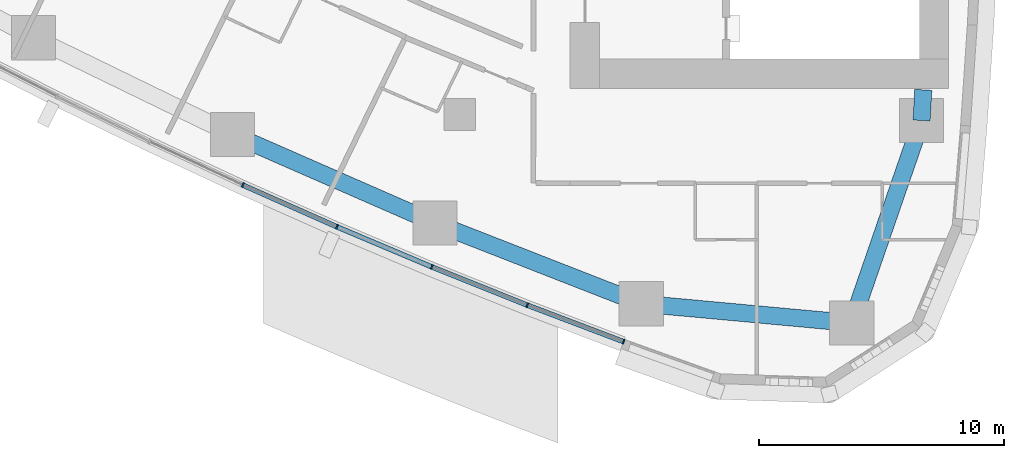
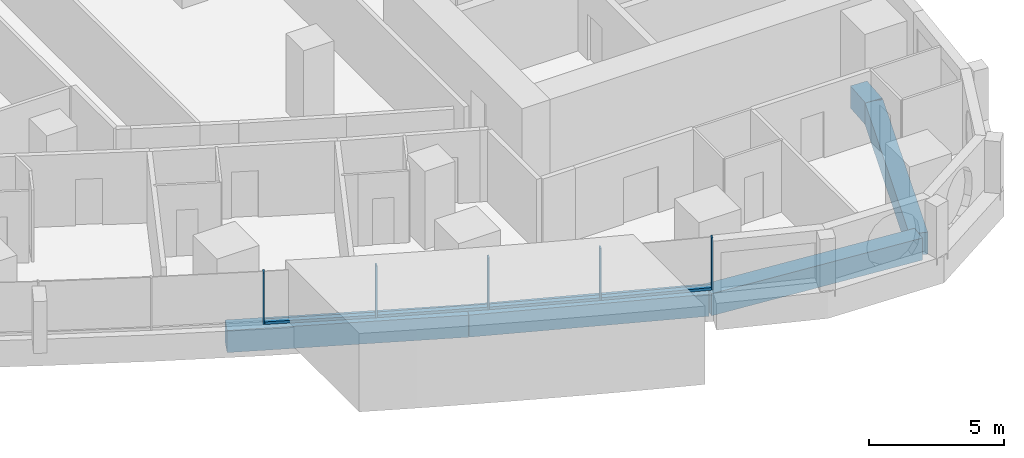
# One storey, part 3 of 19: 9 members, 5 beams, 3 elements without a shape of their own.
"""IFC4 building model written with IfcOpenShell, lengths in metres."""

from ifc_helpers import new_model, si_unit, direction, frame, origin, origin_2d, place, context, subcontext, project, spatial, rectangle, extrude, material, layer, layer_set, material_profile, profile_set, type_object, element, aggregate, save


model = new_model("IFC4")

# Units and contexts
model_context = context("Model", 3, precision=1e-05, world=origin(), true_north=direction((0.0, 1.0)))
body_context = subcontext(model_context, "Body", "Model", "MODEL_VIEW")
ifc_project = project(units=[si_unit("LENGTHUNIT", "METRE"), si_unit("AREAUNIT", "SQUARE_METRE"), si_unit("VOLUMEUNIT", "CUBIC_METRE"), si_unit("PLANEANGLEUNIT", "RADIAN"), si_unit("MASSUNIT", "GRAM", prefix="KILO")], contexts=[model_context])

# Site, building, storey
site_placement = place(None, origin())
site = spatial("IfcSite", under=ifc_project, at=site_placement, CompositionType="ELEMENT")
building_placement = place(site_placement, origin())
building = spatial("IfcBuilding", under=site, at=building_placement, Name="Ostrand Prow Hotel Tower", CompositionType="ELEMENT")
storey_placement = place(building_placement, frame((0.0, 0.0, 68.0)))
storey = spatial("IfcBuildingStorey", under=building, at=storey_placement, Name="L15", CompositionType="ELEMENT", Elevation=68.0)

# Beams
ifc_material_1 = material(Name="Concrete C80/95", Category="concrete")
ifc_material_profile_1 = material_profile(ifc_material_1, rectangle(XDim=0.699951171875, YDim=1.0, at=origin_2d()), Name="RC 700x1000")
ifc_profile_set_1 = profile_set([ifc_material_profile_1], Name="Concrete C80/95")
beam_type = type_object("IfcBeamType", Name="Edge beam 700x1000 C80/95", PredefinedType="SPANDREL", material=ifc_profile_set_1)
for number, where, z_axis, x_axis, name in (
    (1, (35.7412109375, -18.814208984375, -0.800048828125), (0.916095776162, -0.400959510297, 0.0), (0.400959510297, 0.916095776162, 0.0), "Edge beam S4-S5"),
    (2, (43.997802734375, -22.427978515625, -0.800048828125), (0.931329480916, -0.364177701098, 0.0), (0.364177701098, 0.931329480916, 0.0), "Edge beam S5-S6"),
):
    element("IfcBeam", number, at=place(storey_placement, frame(where, z_axis=z_axis, x_axis=x_axis)), inside=storey, type_object=beam_type, Name=name, PredefinedType="SPANDREL", context=body_context, shape_type="SweptSolid", body=[
        extrude(rectangle(XDim=0.699951171875, YDim=1.0, at=origin_2d()), origin(), (0.0, 0.0, 1.0), 9.0126953125),
    ])
beam_1_placement = place(storey_placement, frame((52.3916015625, -25.710205078125, -0.800048828125), z_axis=(0.995800189514, -0.091553167961, 0.0), x_axis=(0.091553167961, 0.995800189514, 0.0)))
element("IfcBeam", 3, at=beam_1_placement, inside=storey, type_object=beam_type, Name="Edge beam S6-SE", PredefinedType="SPANDREL", context=body_context, shape_type="SweptSolid", body=[
    extrude(rectangle(XDim=0.699951171875, YDim=1.0, at=origin_2d()), origin(), (0.0, 0.0, 1.0), 8.610595703125),
])
beam_2_placement = place(storey_placement, frame((60.966064453125, -26.49853515625, -0.800048828125), z_axis=(0.326263961413, 0.945278703602, 0.0), x_axis=(-0.945278703602, 0.326263961413, 0.0)))
element("IfcBeam", 4, at=beam_2_placement, inside=storey, type_object=beam_type, Name="Edge beam SE-B1", PredefinedType="SPANDREL", context=body_context, shape_type="SweptSolid", body=[
    extrude(rectangle(XDim=0.699951171875, YDim=1.0, at=origin_2d()), origin(), (0.0, 0.0, 1.0), 8.727294921875),
])
beam_3_placement = place(storey_placement, frame((63.8134765625, -18.248779296875, -0.800048828125), z_axis=(0.056215946509, 0.998418633319, 0.0), x_axis=(-0.998418633319, 0.056215946509, 0.0)))
element("IfcBeam", 5, at=beam_3_placement, inside=storey, type_object=beam_type, Name="Edge beam B1-B2", PredefinedType="SPANDREL", context=body_context, shape_type="SweptSolid", body=[
    extrude(rectangle(XDim=0.699951171875, YDim=1.0, at=origin_2d()), origin(), (0.0, 0.0, 1.0), 1.250732421875),
])

# Curtain wall, member
ifc_material_2 = material(Name="Insulated glass in bronze anodised frame", Category="glass")
ifc_layer = layer(ifc_material_2, 0.199951171875)
ifc_layer_set = layer_set([ifc_layer], Name="Insulated glass in bronze anodised frame")
curtain_wall_type = type_object("IfcCurtainWallType", Name="Strip curtain wall, fritted glass over bronze spandrel", PredefinedType="NOTDEFINED", material=ifc_layer_set)
curtain_wall_1_placement = place(storey_placement, origin())
curtain_wall_1 = element("IfcCurtainWall", 6, at=curtain_wall_1_placement, inside=storey, type_object=curtain_wall_type, Name="CW1 run CWS3", PredefinedType="NOTDEFINED")
ifc_material_3 = material(Name="Bronze anodised aluminium", Category="aluminium")
ifc_material_profile_2 = material_profile(ifc_material_3, rectangle(XDim=0.199951171875, YDim=0.06005859375, at=origin_2d()), Name="Mullion 60x200 bronze anodised aluminium")
ifc_profile_set_2 = profile_set([ifc_material_profile_2], Name="Bronze anodised aluminium")
member_type_1 = type_object("IfcMemberType", Name="Mullion 60x200 bronze anodised aluminium", PredefinedType="MULLION", material=ifc_profile_set_2)
member_1_placement = place(storey_placement, frame((36.162109375, -20.876953125, 0.89990234375), z_axis=(0.0, 0.0, 1.0), x_axis=(0.422529678615, 0.906349088757, 0.0)))
member_1 = element("IfcMember", 7, at=member_1_placement, type_object=member_type_1, Name="CW1 mullion 3", PredefinedType="MULLION", context=body_context, shape_type="SweptSolid", body=[
    extrude(rectangle(XDim=0.199951171875, YDim=0.06005859375, at=origin_2d()), origin(), (0.0, 0.0, 1.0), 2.35009765625),
])
aggregate(curtain_wall_1, [member_1])

# Curtain wall, members
curtain_wall_2_placement = place(storey_placement, origin())
curtain_wall_2 = element("IfcCurtainWall", 8, at=curtain_wall_2_placement, inside=storey, type_object=curtain_wall_type, Name="CW1 run CWS4", PredefinedType="NOTDEFINED")
member_2_placement = place(storey_placement, frame((39.99560546875, -22.5791015625, 0.89990234375), z_axis=(0.0, 0.0, 1.0), x_axis=(0.388892418709, 0.921283173987, 0.0)))
member_2 = element("IfcMember", 9, at=member_2_placement, type_object=member_type_1, Name="CW1 mullion 2", PredefinedType="MULLION", context=body_context, shape_type="SweptSolid", body=[
    extrude(rectangle(XDim=0.199951171875, YDim=0.06005859375, at=origin_2d()), origin(), (0.0, 0.0, 1.0), 2.35009765625),
])
member_3_placement = place(storey_placement, frame((43.859619140625, -24.210205078125, 0.89990234375), z_axis=(0.0, 0.0, 1.0), x_axis=(0.388892418709, 0.921283173987, 0.0)))
member_3 = element("IfcMember", 10, at=member_3_placement, type_object=member_type_1, Name="CW1 mullion 3", PredefinedType="MULLION", context=body_context, shape_type="SweptSolid", body=[
    extrude(rectangle(XDim=0.199951171875, YDim=0.06005859375, at=origin_2d()), origin(), (0.0, 0.0, 1.0), 2.35009765625),
])

curtain_wall_3_placement = place(storey_placement, origin())
curtain_wall_3 = element("IfcCurtainWall", 11, at=curtain_wall_3_placement, inside=storey, type_object=curtain_wall_type, Name="CW1 run CWS5", PredefinedType="NOTDEFINED")
member_4_placement = place(storey_placement, frame((47.7529296875, -25.769775390625, 0.89990234375), z_axis=(0.0, 0.0, 1.0), x_axis=(0.354728407072, 0.934969388384, 0.0)))
member_4 = element("IfcMember", 12, at=member_4_placement, type_object=member_type_1, Name="CW1 mullion 2", PredefinedType="MULLION", context=body_context, shape_type="SweptSolid", body=[
    extrude(rectangle(XDim=0.199951171875, YDim=0.06005859375, at=origin_2d()), origin(), (0.0, 0.0, 1.0), 2.35009765625),
])
member_5_placement = place(storey_placement, frame((51.674560546875, -27.2578125, 0.89990234375), z_axis=(0.0, 0.0, 1.0), x_axis=(0.354728407072, 0.934969388384, 0.0)))
member_5 = element("IfcMember", 13, at=member_5_placement, type_object=member_type_1, Name="CW1 mullion 3", PredefinedType="MULLION", context=body_context, shape_type="SweptSolid", body=[
    extrude(rectangle(XDim=0.199951171875, YDim=0.06005859375, at=origin_2d()), origin(), (0.0, 0.0, 1.0), 2.35009765625),
])

# Member
ifc_material_4 = material(Name="Bronze anodised aluminium", Category="aluminium")
ifc_material_profile_3 = material_profile(ifc_material_4, rectangle(XDim=0.199951171875, YDim=0.1201171875, at=origin_2d()), Name="Transom 120x200 bronze anodised aluminium")
ifc_profile_set_3 = profile_set([ifc_material_profile_3], Name="Bronze anodised aluminium")
member_type_2 = type_object("IfcMemberType", Name="Transom 120x200 bronze anodised aluminium", PredefinedType="USERDEFINED", material=ifc_profile_set_3)
member_6_placement = place(storey_placement, frame((36.189453125, -20.88916015625, 0.9599609375), z_axis=(0.913957599094, -0.405809693156, 0.0), x_axis=(0.405809693156, 0.913957599094, 0.0)))
member_6 = element("IfcMember", 14, at=member_6_placement, type_object=member_type_2, Name="CW1 transom 1.1", ObjectType="TRANSOM", PredefinedType="USERDEFINED", context=body_context, shape_type="SweptSolid", body=[
    extrude(rectangle(XDim=0.199951171875, YDim=0.1201171875, at=origin_2d()), origin(), (0.0, 0.0, 1.0), 4.13427734375),
])

member_7_placement = place(storey_placement, frame((40.023193359375, -22.5908203125, 0.9599609375), z_axis=(0.921284828297, -0.388888499637, 0.0), x_axis=(0.388888499637, 0.921284828297, 0.0)))
member_7 = element("IfcMember", 15, at=member_7_placement, type_object=member_type_2, Name="CW1 transom 2.1", ObjectType="TRANSOM", PredefinedType="USERDEFINED", context=body_context, shape_type="SweptSolid", body=[
    extrude(rectangle(XDim=0.199951171875, YDim=0.1201171875, at=origin_2d()), origin(), (0.0, 0.0, 1.0), 4.134033203125),
])

aggregate(curtain_wall_2, [member_2, member_3, member_6, member_7])

member_8_placement = place(storey_placement, frame((43.887451171875, -24.22119140625, 0.9599609375), z_axis=(0.928264761225, -0.371920062739, 0.0), x_axis=(0.371920062739, 0.928264761225, 0.0)))
member_8 = element("IfcMember", 16, at=member_8_placement, type_object=member_type_2, Name="CW1 transom 1.1", ObjectType="TRANSOM", PredefinedType="USERDEFINED", context=body_context, shape_type="SweptSolid", body=[
    extrude(rectangle(XDim=0.199951171875, YDim=0.1201171875, at=origin_2d()), origin(), (0.0, 0.0, 1.0), 4.13427734375),
])

member_9_placement = place(storey_placement, frame((47.781005859375, -25.780517578125, 0.9599609375), z_axis=(0.93497051437, -0.354725439261, 0.0), x_axis=(0.354725439261, 0.93497051437, 0.0)))
member_9 = element("IfcMember", 17, at=member_9_placement, type_object=member_type_2, Name="CW1 transom 2.1", ObjectType="TRANSOM", PredefinedType="USERDEFINED", context=body_context, shape_type="SweptSolid", body=[
    extrude(rectangle(XDim=0.199951171875, YDim=0.1201171875, at=origin_2d()), origin(), (0.0, 0.0, 1.0), 4.13427734375),
])

aggregate(curtain_wall_3, [member_4, member_5, member_8, member_9])

save(model, "model.ifc")
